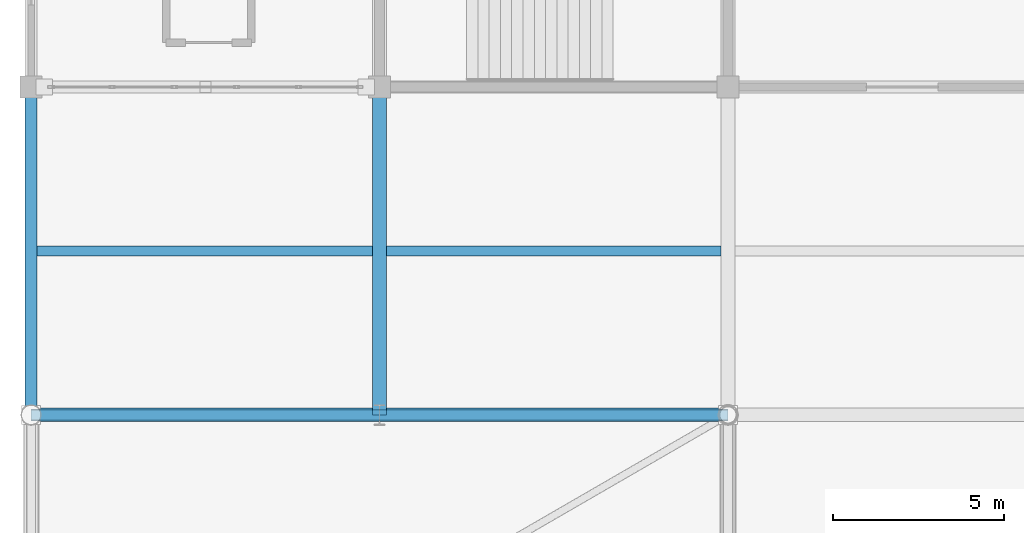
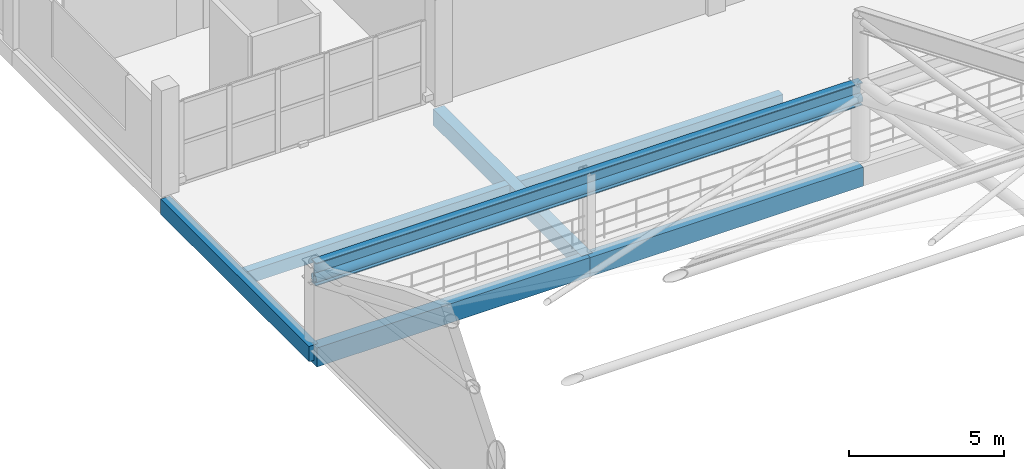
# One storey, part 31 of 135: 7 beams, 1 member.
"""IFC4 building model written with IfcOpenShell, lengths in metres."""

import ifcopenshell
import ifcopenshell.guid

model = None  # the IFC model being written
_history = None  # IfcOwnerHistory: only IFC2X3 demands one
_inside = {}  # id of a spatial element -> (the spatial element, [elements in it])
_under = {}  # id of a project, library or spatial element -> (it, [spatial elements below it])
_declared = {}  # id of a project -> (the project, [libraries it declares])
_typed = {}  # id of a type object -> (the type object, [elements of that type])
_made_of = {}  # id of a material, layer set ... -> (it, [elements and type objects made of it])


def new_model(schema):
    """Start an empty IFC model of exactly this schema.

    Asked for "IFC4X3", IfcOpenShell would pick the latest addendum, in which some entities
    have other attributes; the version numbers below select the first issue.
    IFC2X3 requires an IfcOwnerHistory on every rooted entity: one is made here for all.
    """
    global model, _history
    if schema == "IFC4X3":
        model = ifcopenshell.file(schema_version=(4, 3, 0, 0))
    else:
        model = ifcopenshell.file(schema=schema)
    _inside.clear()
    _under.clear()
    _declared.clear()
    _typed.clear()
    _made_of.clear()
    _history = None
    if model.schema == "IFC2X3":
        org = make("IfcOrganization", Name="unknown")
        user = make(
            "IfcPersonAndOrganization",
            ThePerson=make("IfcPerson", FamilyName="unknown"),
            TheOrganization=org,
        )
        app = make(
            "IfcApplication",
            ApplicationDeveloper=org,
            Version="unknown",
            ApplicationFullName="unknown",
            ApplicationIdentifier="unknown",
        )
        _history = make(
            "IfcOwnerHistory",
            OwningUser=user,
            OwningApplication=app,
            ChangeAction="ADDED",
            CreationDate=0,
        )
    return model


def make(cls, **values):
    """One entity of the class cls with the attributes given. An attribute that is None is left unset."""
    return model.create_entity(
        cls, **{name: value for name, value in values.items() if value is not None}
    )


def rooted(cls, **values):
    """An entity with a GlobalId (a new one), such as an element, a storey or a relation."""
    return make(cls, GlobalId=ifcopenshell.guid.new(), OwnerHistory=_history, **values)


def si_unit(unit_type, name, prefix=None):
    """IfcSIUnit, for example si_unit("LENGTHUNIT", "METRE", prefix="MILLI")."""
    return make("IfcSIUnit", UnitType=unit_type, Prefix=prefix, Name=name)


def assignment(units):
    """IfcUnitAssignment: the units of a project."""
    return None if units is None else make("IfcUnitAssignment", Units=units)


def point(xyz):
    """IfcCartesianPoint."""
    return None if xyz is None else make("IfcCartesianPoint", Coordinates=xyz)


def direction(xyz):
    """IfcDirection."""
    return None if xyz is None else make("IfcDirection", DirectionRatios=xyz)


def frame(location, z_axis=None, x_axis=None):
    """IfcAxis2Placement3D, a coordinate frame: its origin and axes. An axis left out is left unset."""
    return make(
        "IfcAxis2Placement3D",
        Location=point(location),
        Axis=direction(z_axis),
        RefDirection=direction(x_axis),
    )


def frame_2d(location, x_axis=None):
    """IfcAxis2Placement2D, a coordinate frame in the plane: its origin and x axis."""
    return make(
        "IfcAxis2Placement2D", Location=point(location), RefDirection=direction(x_axis)
    )


def origin():
    """The frame at (0, 0, 0) with its axes left unset."""
    return frame((0.0, 0.0, 0.0))


def origin_2d():
    """The frame at (0, 0) in the plane with its x axis left unset."""
    return frame_2d((0.0, 0.0))


def place(relative_to, where):
    """IfcLocalPlacement: puts the frame where relative to a parent placement (None: the world)."""
    return make(
        "IfcLocalPlacement", PlacementRelTo=relative_to, RelativePlacement=where
    )


def context(
    kind, dimensions, precision=None, world=None, true_north=None, identifier=None
):
    """IfcGeometricRepresentationContext, for example the 3D "Model" context."""
    return make(
        "IfcGeometricRepresentationContext",
        ContextIdentifier=identifier,
        ContextType=kind,
        CoordinateSpaceDimension=dimensions,
        Precision=precision,
        WorldCoordinateSystem=world,
        TrueNorth=true_north,
    )


def subcontext(parent, identifier, kind, view, scale=None):
    """IfcGeometricRepresentationSubContext, for example "Body" below "Model"."""
    return make(
        "IfcGeometricRepresentationSubContext",
        ContextIdentifier=identifier,
        ContextType=kind,
        ParentContext=parent,
        TargetScale=scale,
        TargetView=view,
    )


def project(units=None, contexts=None):
    """IfcProject with its units and contexts."""
    return rooted(
        "IfcProject",
        Name="project",
        RepresentationContexts=contexts,
        UnitsInContext=assignment(units),
    )


def spatial(cls, under=None, at=None, **own):
    """A site, building, storey or space (cls), placed at a placement, below another one or the project."""
    s = rooted(cls, ObjectPlacement=at, **own)
    if under is not None:
        _under.setdefault(under.id(), (under, []))[1].append(s)
    return s


def profile(cls, at=None, kind="AREA", **sizes):
    """A parametric profile (cls). Its sizes go by their IFC names, for example OverallWidth=200.0."""
    return make(cls, ProfileType=kind, Position=at, **sizes)


def rectangle(**sizes):
    """IfcRectangleProfileDef."""
    return profile("IfcRectangleProfileDef", **sizes)


def hollow_circle(**sizes):
    """IfcCircleHollowProfileDef."""
    return profile("IfcCircleHollowProfileDef", **sizes)


def i_section(**sizes):
    """IfcIShapeProfileDef."""
    return profile("IfcIShapeProfileDef", **sizes)


def extrude(swept, where, along, depth):
    """IfcExtrudedAreaSolid: the profile swept, set in the frame where, extruded along a direction by depth."""
    return make(
        "IfcExtrudedAreaSolid",
        SweptArea=swept,
        Position=where,
        ExtrudedDirection=direction(along),
        Depth=depth,
    )


def shape(context_of_items, identifier, shape_type, items):
    """IfcShapeRepresentation: the items that make up one representation, for example the "Body"."""
    return make(
        "IfcShapeRepresentation",
        ContextOfItems=context_of_items,
        RepresentationIdentifier=identifier,
        RepresentationType=shape_type,
        Items=items,
    )


def material(Name=None, Category=None):
    """IfcMaterial."""
    return make("IfcMaterial", Name=Name, Category=Category)


def material_profile(
    of_material, cross_section, Name=None, Category=None, Priority=None
):
    """IfcMaterialProfile: a cross section and its material."""
    return make(
        "IfcMaterialProfile",
        Name=Name,
        Material=of_material,
        Profile=cross_section,
        Priority=Priority,
        Category=Category,
    )


def profile_set(profiles, Name=None, composite=None):
    """IfcMaterialProfileSet."""
    return make(
        "IfcMaterialProfileSet",
        Name=Name,
        MaterialProfiles=profiles,
        CompositeProfile=composite,
    )


def made_of(thing, what):
    """Note that an element or type object is made of a material, layer set ...; save() writes the relation."""
    if what is not None:
        _made_of.setdefault(what.id(), (what, []))[1].append(thing)
    return thing


def type_object(cls, material=None, **own):
    """A type object (cls), such as IfcWallType, which elements share."""
    return made_of(rooted(cls, **own), material)


def element(
    cls,
    number,
    at=None,
    inside=None,
    cuts=None,
    type_object=None,
    material=None,
    context=None,
    identifier="Body",
    shape_type=None,
    held_by="IfcProductDefinitionShape",
    body=None,
    shapes=None,
    **own,
):
    """One element of the class cls, such as IfcWall. Its Tag is "e" and its number.

    at: its placement. inside: the storey or other place that contains it. cuts: it is an
    opening in that element (IfcRelVoidsElement). A single representation is given by context,
    identifier, shape_type and body (its items); several are given by shapes. held_by: the class
    of the entity that holds the representations. save() writes the other relations.
    """
    e = rooted(cls, Tag="e%d" % number, ObjectPlacement=at, **own)
    if body is not None:
        shapes = [shape(context, identifier, shape_type, body)]
    if shapes is not None:
        e.Representation = make(held_by, Representations=shapes)
    if inside is not None:
        _inside.setdefault(inside.id(), (inside, []))[1].append(e)
    if cuts is not None:
        rooted(
            "IfcRelVoidsElement", RelatingBuildingElement=cuts, RelatedOpeningElement=e
        )
    if type_object is not None:
        _typed.setdefault(type_object.id(), (type_object, []))[1].append(e)
    return made_of(e, material)


def aggregate(whole, parts):
    """IfcRelAggregates: a whole, such as a stair, and the parts it consists of."""
    return rooted("IfcRelAggregates", RelatingObject=whole, RelatedObjects=parts)


def save(model, path):
    """Write the relations noted so far, then the file.

    IfcRelAggregates (storeys below a building ...), IfcRelContainedInSpatialStructure (elements
    in a storey), IfcRelDefinesByType, IfcRelAssociatesMaterial and IfcRelDeclares: one each for
    every whole, place, type object, material and project.
    """
    for whole, parts in _under.values():
        aggregate(whole, parts)
    for where, things in _inside.values():
        rooted(
            "IfcRelContainedInSpatialStructure",
            RelatedElements=things,
            RelatingStructure=where,
        )
    for kind, things in _typed.values():
        rooted("IfcRelDefinesByType", RelatedObjects=things, RelatingType=kind)
    for what, things in _made_of.values():
        rooted("IfcRelAssociatesMaterial", RelatedObjects=things, RelatingMaterial=what)
    for by, libraries in _declared.values():
        rooted("IfcRelDeclares", RelatingContext=by, RelatedDefinitions=libraries)
    model.write(path)


model = new_model("IFC4")

# Units and contexts
model_context = context("Model", 3, precision=1e-05, world=origin(), true_north=direction((0.0, 1.0)))
body_context = subcontext(model_context, "Body", "Model", "MODEL_VIEW")
ifc_project = project(units=[si_unit("LENGTHUNIT", "METRE"), si_unit("AREAUNIT", "SQUARE_METRE"), si_unit("VOLUMEUNIT", "CUBIC_METRE"), si_unit("PLANEANGLEUNIT", "RADIAN"), si_unit("MASSUNIT", "GRAM", prefix="KILO")], contexts=[model_context])

# Site, building, storey
site_placement = place(None, origin())
site = spatial("IfcSite", under=ifc_project, at=site_placement, CompositionType="ELEMENT")
building_placement = place(site_placement, origin())
building = spatial("IfcBuilding", under=site, at=building_placement, Name="Brelvane Convention Centre", CompositionType="ELEMENT")
storey_placement = place(building_placement, frame((0.0, 0.0, 15.0)))
storey = spatial("IfcBuildingStorey", under=building, at=storey_placement, Name="L03", CompositionType="ELEMENT", Elevation=15.0)

# Beams
ifc_material_1 = material(Name="Concrete M40", Category="concrete")
ifc_material_profile_1 = material_profile(ifc_material_1, rectangle(XDim=0.39990234375, YDim=0.75, at=origin_2d()), Name="RC 400x750")
ifc_profile_set_1 = profile_set([ifc_material_profile_1], Name="Concrete M40")
beam_type_1 = type_object("IfcBeamType", Name="RC Beam B-RC6 (RC 400x750)", PredefinedType="BEAM", material=ifc_profile_set_1)
for number, where, z_axis, x_axis, name in (
    (1, (0.0, 99.60009765625, -0.68505859375), (1.0, 0.0, 0.0), (0.0, 1.0, 0.0), "L03 Beam 1-2/K"),
    (2, (10.199951171875, 99.60009765625, -0.68505859375), (1.0, 0.0, 0.0), (0.0, 1.0, 0.0), "L03 Beam 2-3/K"),
):
    element("IfcBeam", number, at=place(storey_placement, frame(where, z_axis=z_axis, x_axis=x_axis)), inside=storey, type_object=beam_type_1, Name=name, PredefinedType="BEAM", context=body_context, shape_type="SweptSolid", body=[
        extrude(rectangle(XDim=0.39990234375, YDim=0.75, at=origin_2d()), origin(), (0.0, 0.0, 1.0), 10.199951171875),
    ])
ifc_material_2 = material(Name="Concrete M40", Category="concrete")
ifc_material_profile_2 = material_profile(ifc_material_2, rectangle(XDim=0.39990234375, YDim=0.64990234375, at=origin_2d()), Name="RC 400x650")
ifc_profile_set_2 = profile_set([ifc_material_profile_2], Name="Concrete M40")
beam_type_2 = type_object("IfcBeamType", Name="RC Beam B-RC7 (RC 400x650)", PredefinedType="BEAM", material=ifc_profile_set_2)
beam_1_placement = place(storey_placement, frame((10.199951171875, 99.60009765625, -0.635009765625), z_axis=(0.0, 1.0, 0.0), x_axis=(-1.0, 0.0, 0.0)))
element("IfcBeam", 3, at=beam_1_placement, inside=storey, type_object=beam_type_2, Name="L03 Girder 2/K-L", PredefinedType="BEAM", context=body_context, shape_type="SweptSolid", body=[
    extrude(rectangle(XDim=0.39990234375, YDim=0.64990234375, at=origin_2d()), origin(), (0.0, 0.0, 1.0), 9.599853515625),
])
ifc_material_3 = material(Name="Concrete M40", Category="concrete")
ifc_material_profile_3 = material_profile(ifc_material_3, rectangle(XDim=0.300048828125, YDim=0.5, at=origin_2d()), Name="RC 300x500")
ifc_profile_set_3 = profile_set([ifc_material_profile_3], Name="Concrete M40")
beam_type_3 = type_object("IfcBeamType", Name="RC Joist J-RC2 (RC 300x500)", PredefinedType="JOIST", material=ifc_profile_set_3)
beam_2_placement = place(storey_placement, frame((0.175048828125, 104.39990234375, -0.56005859375), z_axis=(1.0, 0.0, 0.0), x_axis=(0.0, 1.0, 0.0)))
element("IfcBeam", 4, at=beam_2_placement, inside=storey, type_object=beam_type_3, Name="L03 Secondary Joist 1-2/KL", PredefinedType="JOIST", context=body_context, shape_type="SweptSolid", body=[
    extrude(rectangle(XDim=0.300048828125, YDim=0.5, at=origin_2d()), origin(), (0.0, 0.0, 1.0), 9.824951171875),
])
beam_3_placement = place(storey_placement, frame((10.39990234375, 104.39990234375, -0.56005859375), z_axis=(1.0, 0.0, 0.0), x_axis=(0.0, 1.0, 0.0)))
element("IfcBeam", 5, at=beam_3_placement, inside=storey, type_object=beam_type_3, Name="L03 Secondary Joist 2-3/KL", PredefinedType="JOIST", context=body_context, shape_type="SweptSolid", body=[
    extrude(rectangle(XDim=0.300048828125, YDim=0.5, at=origin_2d()), origin(), (0.0, 0.0, 1.0), 9.800048828125),
])
ifc_material_4 = material(Name="Concrete M40", Category="concrete")
ifc_material_profile_4 = material_profile(ifc_material_4, rectangle(XDim=0.35009765625, YDim=0.60009765625, at=origin_2d()), Name="RC 350x600")
ifc_profile_set_4 = profile_set([ifc_material_profile_4], Name="Concrete M40")
beam_type_4 = type_object("IfcBeamType", Name="RC Spandrel SP-RC2 (RC 350x600)", PredefinedType="SPANDREL", material=ifc_profile_set_4)
beam_4_placement = place(storey_placement, frame((0.0, 99.60009765625, -0.610107421875), z_axis=(0.0, 1.0, 0.0), x_axis=(-1.0, 0.0, 0.0)))
element("IfcBeam", 6, at=beam_4_placement, inside=storey, type_object=beam_type_4, Name="L03 Girder 1/K-L", PredefinedType="SPANDREL", context=body_context, shape_type="SweptSolid", body=[
    extrude(rectangle(XDim=0.35009765625, YDim=0.60009765625, at=origin_2d()), origin(), (0.0, 0.0, 1.0), 9.599853515625),
])
ifc_material_5 = material(Name="Steel E450 (450 MPa)", Category="steel")
ifc_material_profile_5 = material_profile(ifc_material_5, i_section(OverallWidth=0.300048828125, OverallDepth=0.89990234375, WebThickness=0.0166015625, FlangeThickness=0.031982421875, FilletRadius=0.027099609375, at=origin_2d()), Name="NPB 900x300")
ifc_profile_set_5 = profile_set([ifc_material_profile_5], Name="Steel E450 (450 MPa)")
beam_type_5 = type_object("IfcBeamType", Name="Steel Beam B-ST1 (NPB 900x300)", PredefinedType="BEAM", material=ifc_profile_set_5)
beam_5_placement = place(storey_placement, frame((0.0, 99.60009765625, 2.550048828125), z_axis=(1.0, 0.0, 0.0), x_axis=(0.0, 1.0, 0.0)))
element("IfcBeam", 7, at=beam_5_placement, inside=storey, type_object=beam_type_5, Name="SF_EXH Eaves Ring Girder N-1", PredefinedType="BEAM", context=body_context, shape_type="SweptSolid", body=[
    extrude(i_section(OverallWidth=0.300048828125, OverallDepth=0.89990234375, WebThickness=0.0166015625, FlangeThickness=0.031982421875, FilletRadius=0.027099609375, at=origin_2d()), origin(), (0.0, 0.0, 1.0), 20.39990234375),
])

# Member
ifc_material_6 = material(Name="Steel E450 (450 MPa)", Category="steel")
ifc_material_profile_6 = material_profile(ifc_material_6, hollow_circle(Radius=0.177734375, WallThickness=0.01611328125, at=origin_2d()), Name="CHS 355.6x16.0")
ifc_profile_set_6 = profile_set([ifc_material_profile_6], Name="Steel E450 (450 MPa)")
member_type = type_object("IfcMemberType", Name="Steel Chord SF-TC2 (CHS 355.6x16.0)", PredefinedType="CHORD", material=ifc_profile_set_6)
member_placement = place(storey_placement, frame((0.0, 99.60009765625, 2.340087890625), z_axis=(1.0, 0.0, 0.0), x_axis=(0.0, 1.0, 0.0)))
element("IfcMember", 8, at=member_placement, inside=storey, type_object=member_type, Name="SF_EXH Longitudinal Top Chord LT1.7", PredefinedType="CHORD", context=body_context, shape_type="SweptSolid", body=[
    extrude(hollow_circle(Radius=0.177734375, WallThickness=0.01611328125, at=origin_2d()), origin(), (0.0, 0.0, 1.0), 20.39990234375),
])

save(model, "model.ifc")
